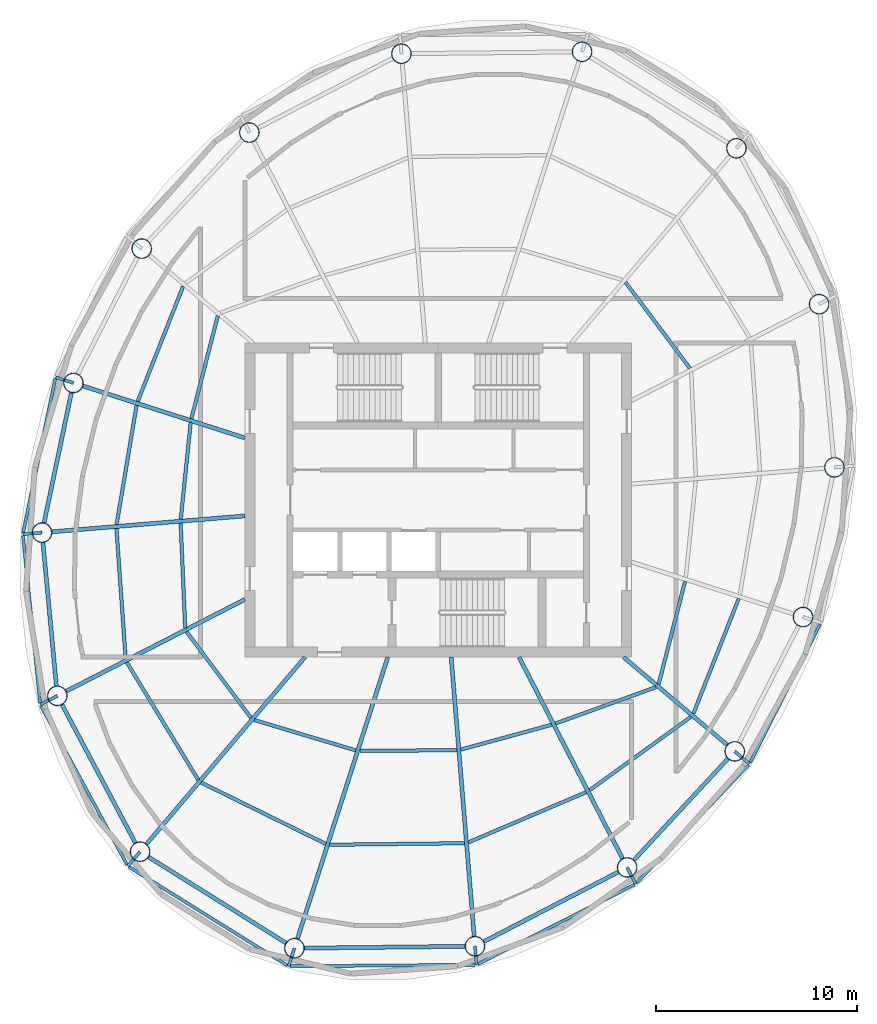
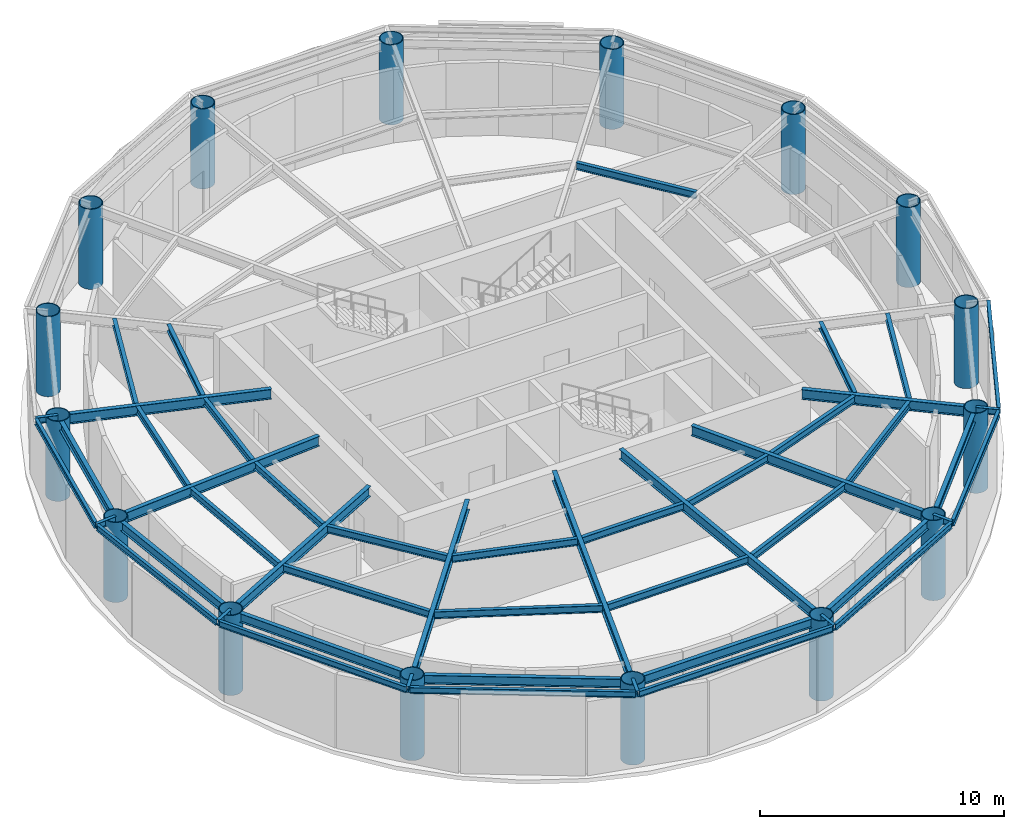
# One storey, part 1 of 6: 50 beams, 16 columns.
"""IFC4 building model written with IfcOpenShell, lengths in metres."""

from ifc_helpers import new_model, si_unit, direction, frame, origin, origin_2d, place, context, subcontext, project, spatial, hollow_circle, i_section, extrude, material, material_profile, profile_set, type_object, element, save


model = new_model("IFC4")

# Units and contexts
model_context = context("Model", 3, precision=1e-05, world=origin(), true_north=direction((0.0, 1.0)))
body_context = subcontext(model_context, "Body", "Model", "MODEL_VIEW")
ifc_project = project(units=[si_unit("LENGTHUNIT", "METRE"), si_unit("AREAUNIT", "SQUARE_METRE"), si_unit("VOLUMEUNIT", "CUBIC_METRE"), si_unit("PLANEANGLEUNIT", "RADIAN"), si_unit("MASSUNIT", "GRAM", prefix="KILO")], contexts=[model_context])

# Site, building, storey
site_placement = place(None, origin())
site = spatial("IfcSite", under=ifc_project, at=site_placement, CompositionType="ELEMENT")
building_placement = place(site_placement, origin())
building = spatial("IfcBuilding", under=site, at=building_placement, Name="Vermilion Reach Broadcast Tower", CompositionType="ELEMENT")
storey_placement = place(building_placement, frame((0.0, 0.0, 312.89990234375)))
storey = spatial("IfcBuildingStorey", under=building, at=storey_placement, Name="L78 CROWN", CompositionType="ELEMENT", Elevation=312.89990234375)

# Columns
ifc_material_1 = material(Name="Concrete C60 infill in steel S460NL tube", Category="concrete")
ifc_material_profile_1 = material_profile(ifc_material_1, hollow_circle(Radius=0.5, WallThickness=0.0400390625, at=origin_2d()), Name="Concrete C60 infill in steel S460NL tube CFT 1000x40")
ifc_profile_set_1 = profile_set([ifc_material_profile_1], Name="Concrete C60 infill in steel S460NL tube")
column_type = type_object("IfcColumnType", Name="MC5 CFT 1000x40", PredefinedType="COLUMN", material=ifc_profile_set_1)
for number, where, z_axis, x_axis, name in (
    (1, (1.138427734375, 22.2470703125, 0.0), (0.0, 0.0, 1.0), (1.0, 0.0, 0.0), "Mega-column MC5-01"),
    (2, (-7.824951171875, 22.1494140625, 0.0), (0.0, 0.0, 1.0), (1.0, 0.0, 0.0), "Mega-column MC5-02"),
    (3, (-15.376953125, 18.23779296875, 0.0), (0.0, 0.0, 1.0), (1.0, 0.0, 0.0), "Mega-column MC5-03"),
    (4, (-20.717529296875, 12.476806640625, 0.0), (0.0, 0.0, 1.0), (1.0, 0.0, 0.0), "Mega-column MC5-04"),
    (5, (-24.10595703125, 5.809814453125, 0.0), (0.0, 0.0, 1.0), (1.0, 0.0, 0.0), "Mega-column MC5-05"),
    (6, (-25.665771484375, -1.620361328125, 0.0), (0.0, 0.0, 1.0), (1.0, 0.0, 0.0), "Mega-column MC5-06"),
    (7, (-24.905517578125, -9.72021484375, 0.0), (0.0, 0.0, 1.0), (1.0, 0.0, 0.0), "Mega-column MC5-07"),
    (8, (-20.799560546875, -17.457275390625, 0.0), (0.0, 0.0, 1.0), (1.0, 0.0, 0.0), "Mega-column MC5-08"),
    (9, (-13.138427734375, -22.2470703125, 0.0), (0.0, 0.0, 1.0), (1.0, 0.0, 0.0), "Mega-column MC5-09"),
    (10, (-4.175048828125, -22.1494140625, 0.0), (0.0, 0.0, 1.0), (1.0, 0.0, 0.0), "Mega-column MC5-10"),
    (11, (3.376953125, -18.23779296875, 0.0), (0.0, 0.0, 1.0), (1.0, 0.0, 0.0), "Mega-column MC5-11"),
    (12, (8.717529296875, -12.476806640625, 0.0), (0.0, 0.0, 1.0), (1.0, 0.0, 0.0), "Mega-column MC5-12"),
    (13, (12.10595703125, -5.809814453125, 0.0), (0.0, 0.0, 1.0), (1.0, 0.0, 0.0), "Mega-column MC5-13"),
    (14, (13.665771484375, 1.620361328125, 0.0), (0.0, 0.0, 1.0), (1.0, 0.0, 0.0), "Mega-column MC5-14"),
    (15, (12.905517578125, 9.72021484375, 0.0), (0.0, 0.0, 1.0), (1.0, 0.0, 0.0), "Mega-column MC5-15"),
    (16, (8.799560546875, 17.457275390625, 0.0), (0.0, 0.0, 1.0), (1.0, 0.0, 0.0), "Mega-column MC5-16"),
):
    element("IfcColumn", number, at=place(storey_placement, frame(where, z_axis=z_axis, x_axis=x_axis)), inside=storey, type_object=column_type, Name=name, PredefinedType="COLUMN", context=body_context, shape_type="SweptSolid", body=[
        extrude(hollow_circle(Radius=0.5, WallThickness=0.0400390625, at=origin_2d()), origin(), (0.0, 0.0, 1.0), 4.0),
    ])

# Beams
ifc_material_2 = material(Name="Steel S355J2", Category="steel")
ifc_material_profile_2 = material_profile(ifc_material_2, i_section(OverallWidth=0.14990234375, OverallDepth=0.300048828125, WebThickness=0.006591796875, FlangeThickness=0.009033203125, at=origin_2d()), Name="S355J2 HN 300x150x6.5x9")
ifc_profile_set_2 = profile_set([ifc_material_profile_2], Name="Steel S355J2")
beam_type_1 = type_object("IfcBeamType", Name="EB5 HN 300x150x6.5x9", PredefinedType="BEAM", material=ifc_profile_set_2)
beam_1_placement = place(storey_placement, frame((-25.00439453125, 6.019287109375, 3.85009765625), z_axis=(-0.204738436734, -0.978816720599, 0.0), x_axis=(0.978816720599, -0.204738436734, 0.0)))
element("IfcBeam", 17, at=beam_1_placement, inside=storey, type_object=beam_type_1, Name="Edge beam EB5-05", PredefinedType="BEAM", context=body_context, shape_type="SweptSolid", body=[
    extrude(i_section(OverallWidth=0.14990234375, OverallDepth=0.300048828125, WebThickness=0.006591796875, FlangeThickness=0.009033203125, at=origin_2d()), origin(), (0.0, 0.0, 1.0), 7.806884765625),
])
beam_2_placement = place(storey_placement, frame((-26.611083984375, -1.7734375, 3.85009765625), z_axis=(0.102011792202, -0.99478318957, 0.0), x_axis=(0.99478318957, 0.102011792202, 0.0)))
element("IfcBeam", 18, at=beam_2_placement, inside=storey, type_object=beam_type_1, Name="Edge beam EB5-06", PredefinedType="BEAM", context=body_context, shape_type="SweptSolid", body=[
    extrude(i_section(OverallWidth=0.14990234375, OverallDepth=0.300048828125, WebThickness=0.006591796875, FlangeThickness=0.009033203125, at=origin_2d()), origin(), (0.0, 0.0, 1.0), 8.34521484375),
])
beam_3_placement = place(storey_placement, frame((-25.7158203125, -10.22119140625, 3.85009765625), z_axis=(0.476526173128, -0.879160284774, 0.0), x_axis=(0.879160284774, 0.476526173128, 0.0)))
element("IfcBeam", 19, at=beam_3_placement, inside=storey, type_object=beam_type_1, Name="Edge beam EB5-07", PredefinedType="BEAM", context=body_context, shape_type="SweptSolid", body=[
    extrude(i_section(OverallWidth=0.14990234375, OverallDepth=0.300048828125, WebThickness=0.006591796875, FlangeThickness=0.009033203125, at=origin_2d()), origin(), (0.0, 0.0, 1.0), 8.9638671875),
])
beam_4_placement = place(storey_placement, frame((-21.341552734375, -18.212646484375, 3.85009765625), z_axis=(0.848928421209, -0.528507838791, 0.0), x_axis=(0.528507838791, 0.848928421209, 0.0)))
element("IfcBeam", 20, at=beam_4_placement, inside=storey, type_object=beam_type_1, Name="Edge beam EB5-08", PredefinedType="BEAM", context=body_context, shape_type="SweptSolid", body=[
    extrude(i_section(OverallWidth=0.14990234375, OverallDepth=0.300048828125, WebThickness=0.006591796875, FlangeThickness=0.009033203125, at=origin_2d()), origin(), (0.0, 0.0, 1.0), 9.24755859375),
])
beam_5_placement = place(storey_placement, frame((-13.346435546875, -23.140380859375, 3.85009765625), z_axis=(0.999971629622, 0.007532592595, 0.0), x_axis=(-0.007532592595, 0.999971629622, 0.0)))
element("IfcBeam", 21, at=beam_5_placement, inside=storey, type_object=beam_type_1, Name="Edge beam EB5-09", PredefinedType="BEAM", context=body_context, shape_type="SweptSolid", body=[
    extrude(i_section(OverallWidth=0.14990234375, OverallDepth=0.300048828125, WebThickness=0.006591796875, FlangeThickness=0.009033203125, at=origin_2d()), origin(), (0.0, 0.0, 1.0), 9.17236328125),
])
beam_6_placement = place(storey_placement, frame((-4.02685546875, -23.033935546875, 3.85009765625), z_axis=(0.891604217889, 0.452815545936, 0.0), x_axis=(-0.452815545936, 0.891604217889, 0.0)))
element("IfcBeam", 22, at=beam_6_placement, inside=storey, type_object=beam_type_1, Name="Edge beam EB5-10", PredefinedType="BEAM", context=body_context, shape_type="SweptSolid", body=[
    extrude(i_section(OverallWidth=0.14990234375, OverallDepth=0.300048828125, WebThickness=0.006591796875, FlangeThickness=0.009033203125, at=origin_2d()), origin(), (0.0, 0.0, 1.0), 8.70263671875),
])
beam_7_placement = place(storey_placement, frame((3.85400390625, -19.001708984375, 3.85009765625), z_axis=(0.687701793008, 0.725993280888, 0.0), x_axis=(-0.725993280888, 0.687701793008, 0.0)))
element("IfcBeam", 23, at=beam_7_placement, inside=storey, type_object=beam_type_1, Name="Edge beam EB5-11", PredefinedType="BEAM", context=body_context, shape_type="SweptSolid", body=[
    extrude(i_section(OverallWidth=0.14990234375, OverallDepth=0.300048828125, WebThickness=0.006591796875, FlangeThickness=0.009033203125, at=origin_2d()), origin(), (0.0, 0.0, 1.0), 8.05908203125),
])
beam_8_placement = place(storey_placement, frame((9.48291015625, -13.02734375, 3.85009765625), z_axis=(0.451232435887, 0.892406459414, 0.0), x_axis=(-0.892406459414, 0.451232435887, 0.0)))
element("IfcBeam", 24, at=beam_8_placement, inside=storey, type_object=beam_type_1, Name="Edge beam EB5-12", PredefinedType="BEAM", context=body_context, shape_type="SweptSolid", body=[
    extrude(i_section(OverallWidth=0.14990234375, OverallDepth=0.300048828125, WebThickness=0.006591796875, FlangeThickness=0.009033203125, at=origin_2d()), origin(), (0.0, 0.0, 1.0), 7.6943359375),
])
ifc_material_3 = material(Name="Steel S355J2", Category="steel")
ifc_material_profile_3 = material_profile(ifc_material_3, i_section(OverallWidth=0.199951171875, OverallDepth=0.5, WebThickness=0.010009765625, FlangeThickness=0.01611328125, at=origin_2d()), Name="S355J2 HN 500x200x10x16")
ifc_profile_set_3 = profile_set([ifc_material_profile_3], Name="Steel S355J2")
beam_type_2 = type_object("IfcBeamType", Name="G5 HN 500x200x10x16", PredefinedType="BEAM", material=ifc_profile_set_3)
beam_9_placement = place(storey_placement, frame((-15.60009765625, 3.080322265625, 3.75), z_axis=(-0.952178453449, 0.305542456604, 0.0), x_axis=(-0.305542456604, -0.952178453449, 0.0)))
element("IfcBeam", 25, at=beam_9_placement, inside=storey, type_object=beam_type_2, Name="Girder G5-05", PredefinedType="BEAM", context=body_context, shape_type="SweptSolid", body=[
    extrude(i_section(OverallWidth=0.199951171875, OverallDepth=0.5, WebThickness=0.010009765625, FlangeThickness=0.01611328125, at=origin_2d()), origin(), (0.0, 0.0, 1.0), 8.43310546875),
])
beam_10_placement = place(storey_placement, frame((-15.60009765625, -0.791015625, 3.75), z_axis=(-0.996624410075, -0.082096195058, 0.0), x_axis=(0.082096195058, -0.996624410075, 0.0)))
element("IfcBeam", 26, at=beam_10_placement, inside=storey, type_object=beam_type_2, Name="Girder G5-06", PredefinedType="BEAM", context=body_context, shape_type="SweptSolid", body=[
    extrude(i_section(OverallWidth=0.199951171875, OverallDepth=0.5, WebThickness=0.010009765625, FlangeThickness=0.01611328125, at=origin_2d()), origin(), (0.0, 0.0, 1.0), 9.599609375),
])
beam_11_placement = place(storey_placement, frame((-15.60009765625, -4.935791015625, 3.75), z_axis=(-0.889332502449, -0.457261085254, 0.0), x_axis=(0.457261085254, -0.889332502449, 0.0)))
element("IfcBeam", 27, at=beam_11_placement, inside=storey, type_object=beam_type_2, Name="Girder G5-07", PredefinedType="BEAM", context=body_context, shape_type="SweptSolid", body=[
    extrude(i_section(OverallWidth=0.199951171875, OverallDepth=0.5, WebThickness=0.010009765625, FlangeThickness=0.01611328125, at=origin_2d()), origin(), (0.0, 0.0, 1.0), 9.96337890625),
])
beam_12_placement = place(storey_placement, frame((-12.612548828125, -7.800048828125, 3.75), z_axis=(-0.646658335602, -0.762779782766, 0.0), x_axis=(0.762779782766, -0.646658335602, 0.0)))
element("IfcBeam", 28, at=beam_12_placement, inside=storey, type_object=beam_type_2, Name="Girder G5-08", PredefinedType="BEAM", context=body_context, shape_type="SweptSolid", body=[
    extrude(i_section(OverallWidth=0.199951171875, OverallDepth=0.5, WebThickness=0.010009765625, FlangeThickness=0.01611328125, at=origin_2d()), origin(), (0.0, 0.0, 1.0), 12.16064453125),
])
beam_13_placement = place(storey_placement, frame((-8.502685546875, -7.800048828125, 3.75), z_axis=(-0.305545401295, -0.952177508528, 0.0), x_axis=(0.952177508528, -0.305545401295, 0.0)))
element("IfcBeam", 29, at=beam_13_placement, inside=storey, type_object=beam_type_2, Name="Girder G5-09", PredefinedType="BEAM", context=body_context, shape_type="SweptSolid", body=[
    extrude(i_section(OverallWidth=0.199951171875, OverallDepth=0.5, WebThickness=0.010009765625, FlangeThickness=0.01611328125, at=origin_2d()), origin(), (0.0, 0.0, 1.0), 14.672607421875),
])
beam_14_placement = place(storey_placement, frame((-5.357421875, -7.800048828125, 3.75), z_axis=(0.082123744247, -0.996622140347, 0.0), x_axis=(0.996622140347, 0.082123744247, 0.0)))
element("IfcBeam", 30, at=beam_14_placement, inside=storey, type_object=beam_type_2, Name="Girder G5-10", PredefinedType="BEAM", context=body_context, shape_type="SweptSolid", body=[
    extrude(i_section(OverallWidth=0.199951171875, OverallDepth=0.5, WebThickness=0.010009765625, FlangeThickness=0.01611328125, at=origin_2d()), origin(), (0.0, 0.0, 1.0), 13.89794921875),
])
beam_15_placement = place(storey_placement, frame((-1.989501953125, -7.800048828125, 3.75), z_axis=(0.457258168112, -0.889334002327, 0.0), x_axis=(0.889334002327, 0.457258168112, 0.0)))
element("IfcBeam", 31, at=beam_15_placement, inside=storey, type_object=beam_type_2, Name="Girder G5-11", PredefinedType="BEAM", context=body_context, shape_type="SweptSolid", body=[
    extrude(i_section(OverallWidth=0.199951171875, OverallDepth=0.5, WebThickness=0.010009765625, FlangeThickness=0.01611328125, at=origin_2d()), origin(), (0.0, 0.0, 1.0), 11.236328125),
])
beam_16_placement = place(storey_placement, frame((3.20068359375, -7.800048828125, 3.75), z_axis=(0.762793125612, -0.646642596431, 0.0), x_axis=(0.646642596431, 0.762793125612, 0.0)))
element("IfcBeam", 32, at=beam_16_placement, inside=storey, type_object=beam_type_2, Name="Girder G5-12", PredefinedType="BEAM", context=body_context, shape_type="SweptSolid", body=[
    extrude(i_section(OverallWidth=0.199951171875, OverallDepth=0.5, WebThickness=0.010009765625, FlangeThickness=0.01611328125, at=origin_2d()), origin(), (0.0, 0.0, 1.0), 6.732421875),
])
ifc_material_4 = material(Name="Steel S355J2", Category="steel")
ifc_material_profile_4 = material_profile(ifc_material_4, i_section(OverallWidth=0.14990234375, OverallDepth=0.300048828125, WebThickness=0.006591796875, FlangeThickness=0.009033203125, at=origin_2d()), Name="S355J2 HN 300x150x6.5x9")
ifc_profile_set_4 = profile_set([ifc_material_profile_4], Name="Steel S355J2")
beam_type_3 = type_object("IfcBeamType", Name="GS5 HN 300x150x6.5x9", PredefinedType="BEAM", material=ifc_profile_set_4)
beam_17_placement = place(storey_placement, frame((-24.10595703125, 5.809814453125, 3.85009765625), z_axis=(-0.952228317443, 0.305387019141, 0.0), x_axis=(-0.305387019141, -0.952228317443, 0.0)))
element("IfcBeam", 33, at=beam_17_placement, inside=storey, type_object=beam_type_3, Name="Cantilever stub GS5-05", PredefinedType="BEAM", context=body_context, shape_type="SweptSolid", body=[
    extrude(i_section(OverallWidth=0.14990234375, OverallDepth=0.300048828125, WebThickness=0.006591796875, FlangeThickness=0.009033203125, at=origin_2d()), origin(), (0.0, 0.0, 1.0), 0.92724609375),
])
beam_18_placement = place(storey_placement, frame((-25.665771484375, -1.620361328125, 3.85009765625), z_axis=(-0.996634988565, -0.081967673925, 0.0), x_axis=(0.081967673925, -0.996634988565, 0.0)))
element("IfcBeam", 34, at=beam_18_placement, inside=storey, type_object=beam_type_3, Name="Cantilever stub GS5-06", PredefinedType="BEAM", context=body_context, shape_type="SweptSolid", body=[
    extrude(i_section(OverallWidth=0.14990234375, OverallDepth=0.300048828125, WebThickness=0.006591796875, FlangeThickness=0.009033203125, at=origin_2d()), origin(), (0.0, 0.0, 1.0), 0.9560546875),
])
beam_19_placement = place(storey_placement, frame((-24.905517578125, -9.72021484375, 3.85009765625), z_axis=(-0.88934146644, -0.457243650662, 0.0), x_axis=(0.457243650662, -0.88934146644, 0.0)))
element("IfcBeam", 35, at=beam_19_placement, inside=storey, type_object=beam_type_3, Name="Cantilever stub GS5-07", PredefinedType="BEAM", context=body_context, shape_type="SweptSolid", body=[
    extrude(i_section(OverallWidth=0.14990234375, OverallDepth=0.300048828125, WebThickness=0.006591796875, FlangeThickness=0.009033203125, at=origin_2d()), origin(), (0.0, 0.0, 1.0), 0.951416015625),
])
beam_20_placement = place(storey_placement, frame((-20.799560546875, -17.457275390625, 3.85009765625), z_axis=(-0.646665495652, -0.762773712665, 0.0), x_axis=(0.762773712665, -0.646665495652, 0.0)))
element("IfcBeam", 36, at=beam_20_placement, inside=storey, type_object=beam_type_3, Name="Cantilever stub GS5-08", PredefinedType="BEAM", context=body_context, shape_type="SweptSolid", body=[
    extrude(i_section(OverallWidth=0.14990234375, OverallDepth=0.300048828125, WebThickness=0.006591796875, FlangeThickness=0.009033203125, at=origin_2d()), origin(), (0.0, 0.0, 1.0), 0.937744140625),
])
beam_21_placement = place(storey_placement, frame((-13.138427734375, -22.2470703125, 3.85009765625), z_axis=(-0.305596628184, -0.95216106875, 0.0), x_axis=(0.95216106875, -0.305596628184, 0.0)))
element("IfcBeam", 37, at=beam_21_placement, inside=storey, type_object=beam_type_3, Name="Cantilever stub GS5-09", PredefinedType="BEAM", context=body_context, shape_type="SweptSolid", body=[
    extrude(i_section(OverallWidth=0.14990234375, OverallDepth=0.300048828125, WebThickness=0.006591796875, FlangeThickness=0.009033203125, at=origin_2d()), origin(), (0.0, 0.0, 1.0), 0.938720703125),
])
beam_22_placement = place(storey_placement, frame((-4.175048828125, -22.1494140625, 3.85009765625), z_axis=(0.082149174093, -0.996620044548, 0.0), x_axis=(0.996620044548, 0.082149174093, 0.0)))
element("IfcBeam", 38, at=beam_22_placement, inside=storey, type_object=beam_type_3, Name="Cantilever stub GS5-10", PredefinedType="BEAM", context=body_context, shape_type="SweptSolid", body=[
    extrude(i_section(OverallWidth=0.14990234375, OverallDepth=0.300048828125, WebThickness=0.006591796875, FlangeThickness=0.009033203125, at=origin_2d()), origin(), (0.0, 0.0, 1.0), 0.92431640625),
])
beam_23_placement = place(storey_placement, frame((3.376953125, -18.23779296875, 3.85009765625), z_axis=(0.457228572872, -0.889349218333, 0.0), x_axis=(0.889349218333, 0.457228572872, 0.0)))
element("IfcBeam", 39, at=beam_23_placement, inside=storey, type_object=beam_type_3, Name="Cantilever stub GS5-11", PredefinedType="BEAM", context=body_context, shape_type="SweptSolid", body=[
    extrude(i_section(OverallWidth=0.14990234375, OverallDepth=0.300048828125, WebThickness=0.006591796875, FlangeThickness=0.009033203125, at=origin_2d()), origin(), (0.0, 0.0, 1.0), 0.923828125),
])
beam_24_placement = place(storey_placement, frame((8.717529296875, -12.476806640625, 3.85009765625), z_axis=(0.762718692688, -0.64673038882, 0.0), x_axis=(0.64673038882, 0.762718692688, 0.0)))
element("IfcBeam", 40, at=beam_24_placement, inside=storey, type_object=beam_type_3, Name="Cantilever stub GS5-12", PredefinedType="BEAM", context=body_context, shape_type="SweptSolid", body=[
    extrude(i_section(OverallWidth=0.14990234375, OverallDepth=0.300048828125, WebThickness=0.006591796875, FlangeThickness=0.009033203125, at=origin_2d()), origin(), (0.0, 0.0, 1.0), 0.957763671875),
])
ifc_material_5 = material(Name="Steel S355J2", Category="steel")
ifc_material_profile_5 = material_profile(ifc_material_5, i_section(OverallWidth=0.199951171875, OverallDepth=0.449951171875, WebThickness=0.009033203125, FlangeThickness=0.013916015625, at=origin_2d()), Name="S355J2 HN 450x200x9x14")
ifc_profile_set_5 = profile_set([ifc_material_profile_5], Name="Steel S355J2")
beam_type_4 = type_object("IfcBeamType", Name="RB5 HN 450x200x9x14", PredefinedType="BEAM", material=ifc_profile_set_5)
beam_25_placement = place(storey_placement, frame((-24.208740234375, 5.3203125, 3.775146484375), z_axis=(-0.205444869285, -0.978668690459, 0.0), x_axis=(0.978668690459, -0.205444869285, 0.0)))
element("IfcBeam", 41, at=beam_25_placement, inside=storey, type_object=beam_type_4, Name="Ring beam RB5-05", PredefinedType="BEAM", context=body_context, shape_type="SweptSolid", body=[
    extrude(i_section(OverallWidth=0.199951171875, OverallDepth=0.449951171875, WebThickness=0.009033203125, FlangeThickness=0.013916015625, at=origin_2d()), origin(), (0.0, 0.0, 1.0), 6.591796875),
])
beam_26_placement = place(storey_placement, frame((-25.618896484375, -2.1181640625, 3.775146484375), z_axis=(0.093441399272, -0.995624781181, 0.0), x_axis=(0.995624781181, 0.093441399272, 0.0)))
element("IfcBeam", 42, at=beam_26_placement, inside=storey, type_object=beam_type_4, Name="Ring beam RB5-06", PredefinedType="BEAM", context=body_context, shape_type="SweptSolid", body=[
    extrude(i_section(OverallWidth=0.199951171875, OverallDepth=0.449951171875, WebThickness=0.009033203125, FlangeThickness=0.013916015625, at=origin_2d()), origin(), (0.0, 0.0, 1.0), 7.135498046875),
])
beam_27_placement = place(storey_placement, frame((-24.671142578125, -10.161865234375, 3.775146484375), z_axis=(0.468767917375, -0.883321368269, 0.0), x_axis=(0.883321368269, 0.468767917375, 0.0)))
element("IfcBeam", 43, at=beam_27_placement, inside=storey, type_object=beam_type_4, Name="Ring beam RB5-07", PredefinedType="BEAM", context=body_context, shape_type="SweptSolid", body=[
    extrude(i_section(OverallWidth=0.199951171875, OverallDepth=0.449951171875, WebThickness=0.009033203125, FlangeThickness=0.013916015625, at=origin_2d()), origin(), (0.0, 0.0, 1.0), 7.759033203125),
])
beam_28_placement = place(storey_placement, frame((-20.375732421875, -17.722412109375, 3.775146484375), z_axis=(0.847914653245, -0.530132757724, 0.0), x_axis=(0.530132757724, 0.847914653245, 0.0)))
element("IfcBeam", 44, at=beam_28_placement, inside=storey, type_object=beam_type_4, Name="Ring beam RB5-08", PredefinedType="BEAM", context=body_context, shape_type="SweptSolid", body=[
    extrude(i_section(OverallWidth=0.199951171875, OverallDepth=0.449951171875, WebThickness=0.009033203125, FlangeThickness=0.013916015625, at=origin_2d()), origin(), (0.0, 0.0, 1.0), 8.035400390625),
])
beam_29_placement = place(storey_placement, frame((-12.638427734375, -22.24169921875, 3.775146484375), z_axis=(0.999940445231, 0.010913569149, 0.0), x_axis=(-0.010913569149, 0.999940445231, 0.0)))
element("IfcBeam", 45, at=beam_29_placement, inside=storey, type_object=beam_type_4, Name="Ring beam RB5-09", PredefinedType="BEAM", context=body_context, shape_type="SweptSolid", body=[
    extrude(i_section(OverallWidth=0.199951171875, OverallDepth=0.449951171875, WebThickness=0.009033203125, FlangeThickness=0.013916015625, at=origin_2d()), origin(), (0.0, 0.0, 1.0), 7.9638671875),
])
beam_30_placement = place(storey_placement, frame((-3.731201171875, -21.91943359375, 3.775146484375), z_axis=(0.887960248279, 0.459920207729, 0.0), x_axis=(-0.459920207729, 0.887960248279, 0.0)))
element("IfcBeam", 46, at=beam_30_placement, inside=storey, type_object=beam_type_4, Name="Ring beam RB5-10", PredefinedType="BEAM", context=body_context, shape_type="SweptSolid", body=[
    extrude(i_section(OverallWidth=0.199951171875, OverallDepth=0.449951171875, WebThickness=0.009033203125, FlangeThickness=0.013916015625, at=origin_2d()), origin(), (0.0, 0.0, 1.0), 7.5048828125),
])
beam_31_placement = place(storey_placement, frame((3.716796875, -17.87109375, 3.775146484375), z_axis=(0.679837550075, 0.733362738014, 0.0), x_axis=(-0.733362738014, 0.679837550075, 0.0)))
element("IfcBeam", 47, at=beam_31_placement, inside=storey, type_object=beam_type_4, Name="Ring beam RB5-11", PredefinedType="BEAM", context=body_context, shape_type="SweptSolid", body=[
    extrude(i_section(OverallWidth=0.199951171875, OverallDepth=0.449951171875, WebThickness=0.009033203125, FlangeThickness=0.013916015625, at=origin_2d()), origin(), (0.0, 0.0, 1.0), 6.85546875),
])
ifc_material_6 = material(Name="Steel S355J2", Category="steel")
ifc_material_profile_6 = material_profile(ifc_material_6, i_section(OverallWidth=0.175048828125, OverallDepth=0.35009765625, WebThickness=0.007080078125, FlangeThickness=0.010986328125, at=origin_2d()), Name="S355J2 HN 350x175x7x11")
ifc_profile_set_6 = profile_set([ifc_material_profile_6], Name="Steel S355J2")
beam_type_5 = type_object("IfcBeamType", Name="SB5 HN 350x175x7x11", PredefinedType="BEAM", material=ifc_profile_set_6)
beam_32_placement = place(storey_placement, frame((-16.940185546875, 9.1435546875, 3.8251953125), z_axis=(-0.248729575729, -0.968572969971, 0.0), x_axis=(0.968572969971, -0.248729575729, 0.0)))
element("IfcBeam", 48, at=beam_32_placement, inside=storey, type_object=beam_type_5, Name="Secondary beam SB5-04-1", PredefinedType="BEAM", context=body_context, shape_type="SweptSolid", body=[
    extrude(i_section(OverallWidth=0.175048828125, OverallDepth=0.35009765625, WebThickness=0.007080078125, FlangeThickness=0.010986328125, at=origin_2d()), origin(), (0.0, 0.0, 1.0), 5.27294921875),
])
beam_33_placement = place(storey_placement, frame((-18.6630859375, 10.604248046875, 3.8251953125), z_axis=(-0.366931189603, -0.930248086317, 0.0), x_axis=(0.930248086317, -0.366931189603, 0.0)))
element("IfcBeam", 49, at=beam_33_placement, inside=storey, type_object=beam_type_5, Name="Secondary beam SB5-04-2", PredefinedType="BEAM", context=body_context, shape_type="SweptSolid", body=[
    extrude(i_section(OverallWidth=0.175048828125, OverallDepth=0.35009765625, WebThickness=0.007080078125, FlangeThickness=0.010986328125, at=origin_2d()), origin(), (0.0, 0.0, 1.0), 6.141357421875),
])
beam_34_placement = place(storey_placement, frame((-18.287109375, 3.837646484375, 3.8251953125), z_axis=(-0.102113775264, -0.994772726255, 0.0), x_axis=(0.994772726255, -0.102113775264, 0.0)))
element("IfcBeam", 50, at=beam_34_placement, inside=storey, type_object=beam_type_5, Name="Secondary beam SB5-05-1", PredefinedType="BEAM", context=body_context, shape_type="SweptSolid", body=[
    extrude(i_section(OverallWidth=0.175048828125, OverallDepth=0.35009765625, WebThickness=0.007080078125, FlangeThickness=0.010986328125, at=origin_2d()), origin(), (0.0, 0.0, 1.0), 4.815185546875),
])
beam_35_placement = place(storey_placement, frame((-20.969970703125, 4.698486328125, 3.8251953125), z_axis=(-0.16532337011, -0.986239414795, 0.0), x_axis=(0.986239414795, -0.16532337011, 0.0)))
element("IfcBeam", 51, at=beam_35_placement, inside=storey, type_object=beam_type_5, Name="Secondary beam SB5-05-2", PredefinedType="BEAM", context=body_context, shape_type="SweptSolid", body=[
    extrude(i_section(OverallWidth=0.175048828125, OverallDepth=0.35009765625, WebThickness=0.007080078125, FlangeThickness=0.010986328125, at=origin_2d()), origin(), (0.0, 0.0, 1.0), 5.99560546875),
])
beam_36_placement = place(storey_placement, frame((-18.78466796875, -1.153564453125, 3.8251953125), z_axis=(0.043557530017, -0.999050920413, 0.0), x_axis=(0.999050920413, 0.043557530017, 0.0)))
element("IfcBeam", 52, at=beam_36_placement, inside=storey, type_object=beam_type_5, Name="Secondary beam SB5-06-1", PredefinedType="BEAM", context=body_context, shape_type="SweptSolid", body=[
    extrude(i_section(OverallWidth=0.175048828125, OverallDepth=0.35009765625, WebThickness=0.007080078125, FlangeThickness=0.010986328125, at=origin_2d()), origin(), (0.0, 0.0, 1.0), 5.19580078125),
])
beam_37_placement = place(storey_placement, frame((-21.97119140625, -1.416259765625, 3.8251953125), z_axis=(0.070586780458, -0.997505642302, 0.0), x_axis=(0.997505642302, 0.070586780458, 0.0)))
element("IfcBeam", 53, at=beam_37_placement, inside=storey, type_object=beam_type_5, Name="Secondary beam SB5-06-2", PredefinedType="BEAM", context=body_context, shape_type="SweptSolid", body=[
    extrude(i_section(OverallWidth=0.175048828125, OverallDepth=0.35009765625, WebThickness=0.007080078125, FlangeThickness=0.010986328125, at=origin_2d()), origin(), (0.0, 0.0, 1.0), 6.46435546875),
])
beam_38_placement = place(storey_placement, frame((-18.492919921875, -6.53564453125, 3.8251953125), z_axis=(0.599055582645, -0.800707442767, 0.0), x_axis=(0.800707442767, 0.599055582645, 0.0)))
element("IfcBeam", 54, at=beam_38_placement, inside=storey, type_object=beam_type_5, Name="Secondary beam SB5-07-1", PredefinedType="BEAM", context=body_context, shape_type="SweptSolid", body=[
    extrude(i_section(OverallWidth=0.175048828125, OverallDepth=0.35009765625, WebThickness=0.007080078125, FlangeThickness=0.010986328125, at=origin_2d()), origin(), (0.0, 0.0, 1.0), 5.337890625),
])
beam_39_placement = place(storey_placement, frame((-21.455078125, -8.058837890625, 3.8251953125), z_axis=(0.519272962556, -0.854608442714, 0.0), x_axis=(0.854608442714, 0.519272962556, 0.0)))
element("IfcBeam", 55, at=beam_39_placement, inside=storey, type_object=beam_type_5, Name="Secondary beam SB5-07-2", PredefinedType="BEAM", context=body_context, shape_type="SweptSolid", body=[
    extrude(i_section(OverallWidth=0.175048828125, OverallDepth=0.35009765625, WebThickness=0.007080078125, FlangeThickness=0.010986328125, at=origin_2d()), origin(), (0.0, 0.0, 1.0), 6.82763671875),
])
beam_40_placement = place(storey_placement, frame((-15.129150390625, -10.92333984375, 3.8251953125), z_axis=(0.958124906971, -0.286350593925, 0.0), x_axis=(0.286350593925, 0.958124906971, 0.0)))
element("IfcBeam", 56, at=beam_40_placement, inside=storey, type_object=beam_type_5, Name="Secondary beam SB5-08-1", PredefinedType="BEAM", context=body_context, shape_type="SweptSolid", body=[
    extrude(i_section(OverallWidth=0.175048828125, OverallDepth=0.35009765625, WebThickness=0.007080078125, FlangeThickness=0.010986328125, at=origin_2d()), origin(), (0.0, 0.0, 1.0), 5.25634765625),
])
beam_41_placement = place(storey_placement, frame((-17.762451171875, -14.029541015625, 3.8251953125), z_axis=(0.897335928087, -0.441348198325, 0.0), x_axis=(0.441348198325, 0.897335928087, 0.0)))
element("IfcBeam", 57, at=beam_41_placement, inside=storey, type_object=beam_type_5, Name="Secondary beam SB5-08-2", PredefinedType="BEAM", context=body_context, shape_type="SweptSolid", body=[
    extrude(i_section(OverallWidth=0.175048828125, OverallDepth=0.35009765625, WebThickness=0.007080078125, FlangeThickness=0.010986328125, at=origin_2d()), origin(), (0.0, 0.0, 1.0), 6.887451171875),
])
beam_42_placement = place(storey_placement, frame((-9.891845703125, -12.4560546875, 3.8251953125), z_axis=(0.999968312294, 0.007960804474, 0.0), x_axis=(-0.007960804474, 0.999968312294, 0.0)))
element("IfcBeam", 58, at=beam_42_placement, inside=storey, type_object=beam_type_5, Name="Secondary beam SB5-09-1", PredefinedType="BEAM", context=body_context, shape_type="SweptSolid", body=[
    extrude(i_section(OverallWidth=0.175048828125, OverallDepth=0.35009765625, WebThickness=0.007080078125, FlangeThickness=0.010986328125, at=origin_2d()), origin(), (0.0, 0.0, 1.0), 4.81494140625),
])
beam_43_placement = place(storey_placement, frame((-11.385986328125, -17.11279296875, 3.8251953125), z_axis=(0.999932654133, 0.011605481368, 0.0), x_axis=(-0.011605481368, 0.999932654133, 0.0)))
element("IfcBeam", 59, at=beam_43_placement, inside=storey, type_object=beam_type_5, Name="Secondary beam SB5-09-2", PredefinedType="BEAM", context=body_context, shape_type="SweptSolid", body=[
    extrude(i_section(OverallWidth=0.175048828125, OverallDepth=0.35009765625, WebThickness=0.007080078125, FlangeThickness=0.010986328125, at=origin_2d()), origin(), (0.0, 0.0, 1.0), 6.689697265625),
])
beam_44_placement = place(storey_placement, frame((-4.87890625, -12.39013671875, 3.8251953125), z_axis=(0.964547496851, 0.263909314573, 0.0), x_axis=(-0.263909314573, 0.964547496851, 0.0)))
element("IfcBeam", 60, at=beam_44_placement, inside=storey, type_object=beam_type_5, Name="Secondary beam SB5-10-1", PredefinedType="BEAM", context=body_context, shape_type="SweptSolid", body=[
    extrude(i_section(OverallWidth=0.175048828125, OverallDepth=0.35009765625, WebThickness=0.007080078125, FlangeThickness=0.010986328125, at=origin_2d()), origin(), (0.0, 0.0, 1.0), 4.6689453125),
])
beam_45_placement = place(storey_placement, frame((-4.49951171875, -16.99267578125, 3.8251953125), z_axis=(0.919880986172, 0.392197617637, 0.0), x_axis=(-0.392197617637, 0.919880986172, 0.0)))
element("IfcBeam", 61, at=beam_45_placement, inside=storey, type_object=beam_type_5, Name="Secondary beam SB5-10-2", PredefinedType="BEAM", context=body_context, shape_type="SweptSolid", body=[
    extrude(i_section(OverallWidth=0.175048828125, OverallDepth=0.35009765625, WebThickness=0.007080078125, FlangeThickness=0.010986328125, at=origin_2d()), origin(), (0.0, 0.0, 1.0), 6.351806640625),
])
beam_46_placement = place(storey_placement, frame((-0.18212890625, -11.0966796875, 3.8251953125), z_axis=(0.940220108875, 0.340567389613, 0.0), x_axis=(-0.340567389613, 0.940220108875, 0.0)))
element("IfcBeam", 62, at=beam_46_placement, inside=storey, type_object=beam_type_5, Name="Secondary beam SB5-11-1", PredefinedType="BEAM", context=body_context, shape_type="SweptSolid", body=[
    extrude(i_section(OverallWidth=0.175048828125, OverallDepth=0.35009765625, WebThickness=0.007080078125, FlangeThickness=0.010986328125, at=origin_2d()), origin(), (0.0, 0.0, 1.0), 5.303466796875),
])
beam_47_placement = place(storey_placement, frame((1.517578125, -14.402587890625, 3.8251953125), z_axis=(0.809771251518, 0.586745703192, 0.0), x_axis=(-0.586745703192, 0.809771251518, 0.0)))
element("IfcBeam", 63, at=beam_47_placement, inside=storey, type_object=beam_type_5, Name="Secondary beam SB5-11-2", PredefinedType="BEAM", context=body_context, shape_type="SweptSolid", body=[
    extrude(i_section(OverallWidth=0.175048828125, OverallDepth=0.35009765625, WebThickness=0.007080078125, FlangeThickness=0.010986328125, at=origin_2d()), origin(), (0.0, 0.0, 1.0), 6.20361328125),
])
beam_48_placement = place(storey_placement, frame((4.940185546875, -9.1435546875, 3.8251953125), z_axis=(0.248729575729, 0.968572969971, 0.0), x_axis=(-0.968572969971, 0.248729575729, 0.0)))
element("IfcBeam", 64, at=beam_48_placement, inside=storey, type_object=beam_type_5, Name="Secondary beam SB5-12-1", PredefinedType="BEAM", context=body_context, shape_type="SweptSolid", body=[
    extrude(i_section(OverallWidth=0.175048828125, OverallDepth=0.35009765625, WebThickness=0.007080078125, FlangeThickness=0.010986328125, at=origin_2d()), origin(), (0.0, 0.0, 1.0), 5.27294921875),
])
beam_49_placement = place(storey_placement, frame((6.6630859375, -10.604248046875, 3.8251953125), z_axis=(0.366931189603, 0.930248086317, 0.0), x_axis=(-0.930248086317, 0.366931189603, 0.0)))
element("IfcBeam", 65, at=beam_49_placement, inside=storey, type_object=beam_type_5, Name="Secondary beam SB5-12-2", PredefinedType="BEAM", context=body_context, shape_type="SweptSolid", body=[
    extrude(i_section(OverallWidth=0.175048828125, OverallDepth=0.35009765625, WebThickness=0.007080078125, FlangeThickness=0.010986328125, at=origin_2d()), origin(), (0.0, 0.0, 1.0), 6.141357421875),
])
beam_50_placement = place(storey_placement, frame((6.492919921875, 6.53564453125, 3.8251953125), z_axis=(-0.599055582645, 0.800707442767, 0.0), x_axis=(-0.800707442767, -0.599055582645, 0.0)))
element("IfcBeam", 66, at=beam_50_placement, inside=storey, type_object=beam_type_5, Name="Secondary beam SB5-15-1", PredefinedType="BEAM", context=body_context, shape_type="SweptSolid", body=[
    extrude(i_section(OverallWidth=0.175048828125, OverallDepth=0.35009765625, WebThickness=0.007080078125, FlangeThickness=0.010986328125, at=origin_2d()), origin(), (0.0, 0.0, 1.0), 5.337890625),
])

save(model, "model.ifc")
